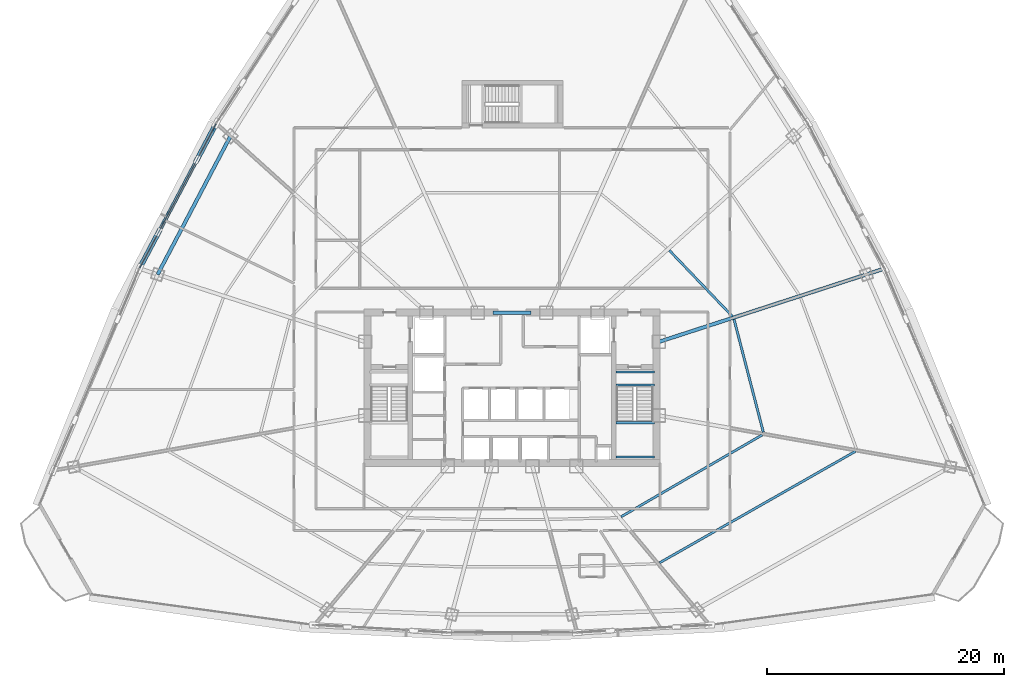
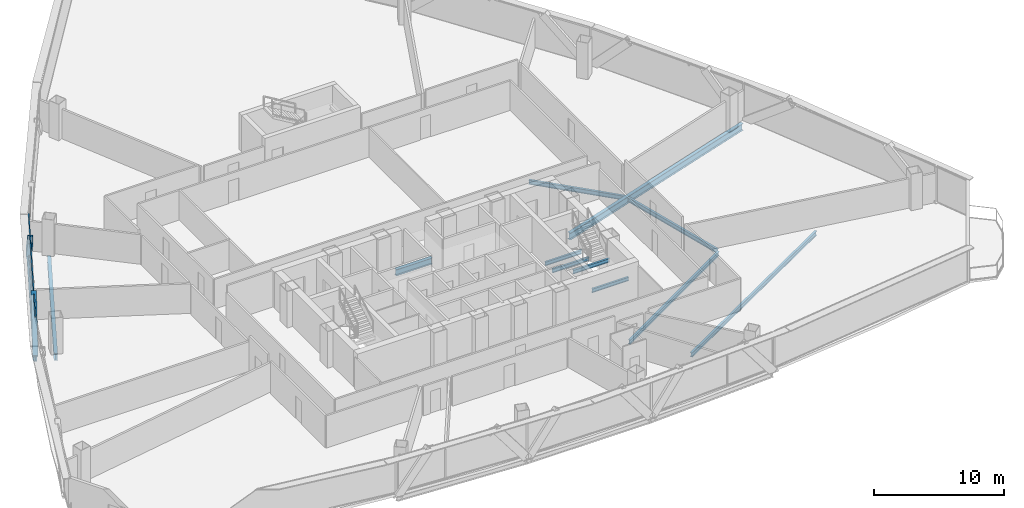
# One storey, part 15 of 39: 12 beams, 4 members, 1 element without a shape of its own.
"""IFC4 building model written with IfcOpenShell, lengths in metres."""

from ifc_helpers import new_model, si_unit, direction, frame, origin, origin_2d, place, context, subcontext, project, spatial, hollow_rectangle, i_section, extrude, source, transform, mapped, material, layer, layer_set, material_profile, profile_set, type_object, element, aggregate, save


model = new_model("IFC4")

# Units and contexts
model_context = context("Model", 3, precision=1e-05, world=origin(), true_north=direction((0.0, 1.0)))
body_context = subcontext(model_context, "Body", "Model", "MODEL_VIEW")
ifc_project = project(units=[si_unit("LENGTHUNIT", "METRE"), si_unit("AREAUNIT", "SQUARE_METRE"), si_unit("VOLUMEUNIT", "CUBIC_METRE"), si_unit("PLANEANGLEUNIT", "RADIAN"), si_unit("MASSUNIT", "GRAM", prefix="KILO"), si_unit("THERMODYNAMICTEMPERATUREUNIT", "KELVIN"), si_unit("POWERUNIT", "WATT")], contexts=[model_context])

# Site, building, storey
site_placement = place(None, origin())
site = spatial("IfcSite", under=ifc_project, at=site_placement, CompositionType="ELEMENT")
building_placement = place(site_placement, origin())
building = spatial("IfcBuilding", under=site, at=building_placement, Name="Yunzhuo Pagoda Commons", CompositionType="ELEMENT")
storey_placement = place(building_placement, frame((0.0, 0.0, 144.550048828125)))
storey = spatial("IfcBuildingStorey", under=building, at=storey_placement, Name="L36", CompositionType="ELEMENT", Elevation=144.550048828125)

# Beams
ifc_material_1 = material(Name="Structural steel Q355B", Category="steel")
ifc_material_profile_1 = material_profile(ifc_material_1, i_section(OverallWidth=0.175048828125, OverallDepth=0.35009765625, WebThickness=0.007080078125, FlangeThickness=0.010986328125, at=origin_2d()), Name="Structural steel Q355B")
ifc_profile_set_1 = profile_set([ifc_material_profile_1], Name="Structural steel Q355B")
beam_type_1 = type_object("IfcBeamType", Name="B-JS2 Joist HN 350x175x7x11", PredefinedType="JOIST", material=ifc_profile_set_1)
shared_shape_1 = source(origin(), body_context, "Body", "SweptSolid", [
    extrude(i_section(OverallWidth=0.175048828125, OverallDepth=0.35009765625, WebThickness=0.007080078125, FlangeThickness=0.010986328125, at=origin_2d()), origin(), (0.0, 0.0, 1.0), 3.25),
])
for number, where, z_axis, x_axis, name in (
    (1, (56.800048828125, 28.0, 1.46484375), (1.0, 0.0, 0.0), (0.0, 1.0, 0.0), "L36 ST2 landing support beam 42A"),
    (2, (56.800048828125, 30.89990234375, 1.46484375), (1.0, 0.0, 0.0), (0.0, 1.0, 0.0), "L36 ST2 landing support beam 42B"),
    (3, (56.800048828125, 34.10009765625, -0.375), (1.0, 0.0, 0.0), (0.0, 1.0, 0.0), "L36 ST2 landing support beam 140A"),
    (4, (56.800048828125, 35.199951171875, -0.375), (1.0, 0.0, 0.0), (0.0, 1.0, 0.0), "L36 ST2 landing support beam 140B"),
):
    element("IfcBeam", number, at=place(storey_placement, frame(where, z_axis=z_axis, x_axis=x_axis)), inside=storey, type_object=beam_type_1, Name=name, PredefinedType="JOIST", context=body_context, shape_type="MappedRepresentation", body=[
        mapped(shared_shape_1, transform((0.0, 0.0, 0.0), scale=1.0)),
    ])
ifc_material_2 = material(Name="Structural steel Q420B", Category="steel")
ifc_material_profile_2 = material_profile(ifc_material_2, i_section(OverallWidth=0.300048828125, OverallDepth=0.587890625, WebThickness=0.011962890625, FlangeThickness=0.02001953125, at=origin_2d()), Name="Structural steel Q420B")
ifc_profile_set_2 = profile_set([ifc_material_profile_2], Name="Structural steel Q420B")
beam_type_2 = type_object("IfcBeamType", Name="B-CPL Beam HM 588x300x12x20", PredefinedType="BEAM", material=ifc_profile_set_2)
shared_shape_2 = source(origin(), body_context, "Body", "SweptSolid", [
    extrude(i_section(OverallWidth=0.300048828125, OverallDepth=0.587890625, WebThickness=0.011962890625, FlangeThickness=0.02001953125, at=origin_2d()), origin(), (0.0, 0.0, 1.0), 3.2001953125),
])
beam_1_placement = place(storey_placement, frame((46.39990234375, 40.199951171875, -0.553955078125), z_axis=(1.0, 0.0, 0.0), x_axis=(0.0, 1.0, 0.0)))
element("IfcBeam", 5, at=beam_1_placement, inside=storey, type_object=beam_type_2, Name="L36 core coupling girder", PredefinedType="BEAM", context=body_context, shape_type="MappedRepresentation", body=[
    mapped(shared_shape_2, transform((0.0, 0.0, 0.0), scale=1.0)),
])
ifc_material_profile_3 = material_profile(ifc_material_1, i_section(OverallWidth=0.199951171875, OverallDepth=0.39990234375, WebThickness=0.008056640625, FlangeThickness=0.012939453125, at=origin_2d()), Name="Structural steel Q355B")
ifc_profile_set_3 = profile_set([ifc_material_profile_3], Name="Structural steel Q355B")
beam_type_3 = type_object("IfcBeamType", Name="B-JS1 Joist HN 400x200x8x13", PredefinedType="JOIST", material=ifc_profile_set_3)
shared_shape_3 = source(origin(), body_context, "Body", "SweptSolid", [
    extrude(i_section(OverallWidth=0.199951171875, OverallDepth=0.39990234375, WebThickness=0.008056640625, FlangeThickness=0.012939453125, at=origin_2d()), origin(), (0.0, 0.0, 1.0), 13.76416015625),
])
beam_2_placement = place(storey_placement, frame((57.2119140625, 22.96533203125, -0.4599609375), z_axis=(0.864967288101, 0.501828248025, 0.0), x_axis=(-0.501828248025, 0.864967288101, 0.0)))
element("IfcBeam", 6, at=beam_2_placement, inside=storey, type_object=beam_type_3, Name="L36 composite ring joist 1.4", PredefinedType="JOIST", context=body_context, shape_type="MappedRepresentation", body=[
    mapped(shared_shape_3, transform((0.0, 0.0, 0.0), scale=1.0)),
])
shared_shape_4 = source(origin(), body_context, "Body", "SweptSolid", [
    extrude(i_section(OverallWidth=0.199951171875, OverallDepth=0.39990234375, WebThickness=0.008056640625, FlangeThickness=0.012939453125, at=origin_2d()), origin(), (0.0, 0.0, 1.0), 19.007568359375),
])
beam_3_placement = place(storey_placement, frame((60.468017578125, 19.08447265625, -0.4599609375), z_axis=(0.869119947472, 0.494601371718, 0.0), x_axis=(-0.494601371718, 0.869119947472, 0.0)))
element("IfcBeam", 7, at=beam_3_placement, inside=storey, type_object=beam_type_3, Name="L36 composite ring joist 2.4", PredefinedType="JOIST", context=body_context, shape_type="MappedRepresentation", body=[
    mapped(shared_shape_4, transform((0.0, 0.0, 0.0), scale=1.0)),
])
shared_shape_5 = source(origin(), body_context, "Body", "SweptSolid", [
    extrude(i_section(OverallWidth=0.199951171875, OverallDepth=0.39990234375, WebThickness=0.008056640625, FlangeThickness=0.012939453125, at=origin_2d()), origin(), (0.0, 0.0, 1.0), 9.8330078125),
])
beam_4_placement = place(storey_placement, frame((69.215087890625, 30.10595703125, -0.4599609375), z_axis=(-0.251166367041, 0.967943932295, 0.0), x_axis=(-0.967943932295, -0.251166367041, 0.0)))
element("IfcBeam", 8, at=beam_4_placement, inside=storey, type_object=beam_type_3, Name="L36 composite ring joist 1.5", PredefinedType="JOIST", context=body_context, shape_type="MappedRepresentation", body=[
    mapped(shared_shape_5, transform((0.0, 0.0, 0.0), scale=1.0)),
])
ifc_material_profile_4 = material_profile(ifc_material_1, i_section(OverallWidth=0.300048828125, OverallDepth=0.64990234375, WebThickness=0.012939453125, FlangeThickness=0.02197265625, at=origin_2d()), Name="Structural steel Q355B")
ifc_profile_set_4 = profile_set([ifc_material_profile_4], Name="Structural steel Q355B")
beam_type_4 = type_object("IfcBeamType", Name="B-RG2 Beam HN 650x300x13x22", PredefinedType="BEAM", material=ifc_profile_set_4)
shared_shape_6 = source(origin(), body_context, "Body", "SweptSolid", [
    extrude(i_section(OverallWidth=0.300048828125, OverallDepth=0.64990234375, WebThickness=0.012939453125, FlangeThickness=0.02197265625, at=origin_2d()), origin(), (0.0, 0.0, 1.0), 13.198974609375),
])
beam_5_placement = place(storey_placement, frame((24.23388671875, 55.09912109375, -0.5849609375), z_axis=(-0.465885937554, -0.884844784801, 0.0), x_axis=(0.884844784801, -0.465885937554, 0.0)))
element("IfcBeam", 9, at=beam_5_placement, inside=storey, type_object=beam_type_4, Name="L36 column-ring beam 10", PredefinedType="BEAM", context=body_context, shape_type="MappedRepresentation", body=[
    mapped(shared_shape_6, transform((0.0, 0.0, 0.0), scale=1.0)),
])
shared_shape_7 = source(origin(), body_context, "Body", "SweptSolid", [
    extrude(i_section(OverallWidth=0.199951171875, OverallDepth=0.39990234375, WebThickness=0.008056640625, FlangeThickness=0.012939453125, at=origin_2d()), origin(), (0.0, 0.0, 1.0), 7.685546875),
])
beam_6_placement = place(storey_placement, frame((66.595703125, 39.892578125, -0.4599609375), z_axis=(-0.690882862648, 0.722966714378, 0.0), x_axis=(-0.722966714378, -0.690882862648, 0.0)))
element("IfcBeam", 10, at=beam_6_placement, inside=storey, type_object=beam_type_3, Name="L36 composite ring joist 1.6", PredefinedType="JOIST", context=body_context, shape_type="MappedRepresentation", body=[
    mapped(shared_shape_7, transform((0.0, 0.0, 0.0), scale=1.0)),
])
shared_shape_8 = source(origin(), body_context, "Body", "SweptSolid", [
    extrude(i_section(OverallWidth=0.300048828125, OverallDepth=0.64990234375, WebThickness=0.012939453125, FlangeThickness=0.02197265625, at=origin_2d()), origin(), (0.0, 0.0, 1.0), 19.877197265625),
])
beam_7_placement = place(storey_placement, frame((79.30419921875, 43.871337890625, -0.5849609375), z_axis=(-0.951057172971, -0.309014973328, 0.0), x_axis=(0.309014973328, -0.951057172971, 0.0)))
element("IfcBeam", 11, at=beam_7_placement, inside=storey, type_object=beam_type_4, Name="L36 radial floor girder F2C2", PredefinedType="BEAM", context=body_context, shape_type="MappedRepresentation", body=[
    mapped(shared_shape_8, transform((0.0, 0.0, 0.0), scale=1.0)),
])
ifc_material_profile_5 = material_profile(ifc_material_1, i_section(OverallWidth=0.300048828125, OverallDepth=0.488037109375, WebThickness=0.010986328125, FlangeThickness=0.01806640625, at=origin_2d()), Name="Structural steel Q355B")
ifc_profile_set_5 = profile_set([ifc_material_profile_5], Name="Structural steel Q355B")
beam_type_5 = type_object("IfcBeamType", Name="B-SP1 Beam HM 488x300x11x18", PredefinedType="BEAM", material=ifc_profile_set_5)
shared_shape_9 = source(origin(), body_context, "Body", "SweptSolid", [
    extrude(i_section(OverallWidth=0.300048828125, OverallDepth=0.488037109375, WebThickness=0.010986328125, FlangeThickness=0.01806640625, at=origin_2d()), origin(), (0.0, 0.0, 1.0), 13.869384765625),
])
beam_8_placement = place(storey_placement, frame((23.035400390625, 56.17822265625, -0.504150390625), z_axis=(-0.467725147868, -0.883873965027, 0.0), x_axis=(0.883873965027, -0.467725147868, 0.0)))
element("IfcBeam", 12, at=beam_8_placement, inside=storey, type_object=beam_type_5, Name="L36 facade edge spandrel beam F3.2", PredefinedType="BEAM", context=body_context, shape_type="MappedRepresentation", body=[
    mapped(shared_shape_9, transform((0.0, 0.0, 0.0), scale=1.0)),
])

# Members
ifc_material_profile_6 = material_profile(ifc_material_2, hollow_rectangle(XDim=0.419921875, YDim=0.719970703125, WallThickness=0.028076171875, at=origin_2d()), Name="Structural steel Q420B")
ifc_profile_set_6 = profile_set([ifc_material_profile_6], Name="Structural steel Q420B")
member_type_1 = type_object("IfcMemberType", Name="M-DL1 Brace BOX 720x420x28", PredefinedType="BRACE", material=ifc_profile_set_6)
shared_shape_10 = source(origin(), body_context, "Body", "SweptSolid", [
    extrude(hollow_rectangle(XDim=0.419921875, YDim=0.719970703125, WallThickness=0.028076171875, at=origin_2d()), origin(), (0.0, 0.0, 1.0), 5.055908203125),
])
member_1_placement = place(storey_placement, frame((16.54833984375, 43.91943359375, -0.260009765625), z_axis=(0.320729550462, 0.606112212798, 0.727846509202), x_axis=(-0.883880393409, 0.467712999763, 0.0)))
element("IfcMember", 13, at=member_1_placement, inside=storey, type_object=member_type_1, Name="L36 facade diamond brace F3.2R", PredefinedType="BRACE", context=body_context, shape_type="MappedRepresentation", body=[
    mapped(shared_shape_10, transform((0.0, 0.0, 0.0), scale=1.0)),
])
shared_shape_11 = source(origin(), body_context, "Body", "SweptSolid", [
    extrude(hollow_rectangle(XDim=0.419921875, YDim=0.719970703125, WallThickness=0.028076171875, at=origin_2d()), origin(), (0.0, 0.0, 1.0), 5.05615234375),
])
member_2_placement = place(storey_placement, frame((23.035400390625, 56.17822265625, -0.260009765625), z_axis=(-0.320763482228, -0.606133372333, 0.727813934611), x_axis=(0.883866687787, -0.467738899623, 0.0)))
element("IfcMember", 14, at=member_2_placement, inside=storey, type_object=member_type_1, Name="L36 facade diamond brace F3.2L", PredefinedType="BRACE", context=body_context, shape_type="MappedRepresentation", body=[
    mapped(shared_shape_11, transform((0.0, 0.0, 0.0), scale=1.0)),
])

# Curtain wall, members
ifc_material_3 = material(Name="Anodized aluminium 6063-T6", Category="aluminium")
ifc_layer = layer(ifc_material_3, 0.14990234375)
ifc_layer_set = layer_set([ifc_layer], Name="Anodized aluminium 6063-T6")
curtain_wall_type = type_object("IfcCurtainWallType", Name="CW-MID Mid-Zone Ribbon Curtain Wall", PredefinedType="NOTDEFINED", material=ifc_layer_set)
curtain_wall_placement = place(storey_placement, origin())
curtain_wall = element("IfcCurtainWall", 15, at=curtain_wall_placement, inside=storey, type_object=curtain_wall_type, Name="L36 curtain wall CW-L36-F3B3", PredefinedType="NOTDEFINED")
ifc_material_profile_7 = material_profile(ifc_material_3, hollow_rectangle(XDim=0.054931640625, YDim=0.1298828125, WallThickness=0.00341796875, at=origin_2d()), Name="Anodized aluminium 6063-T6")
ifc_profile_set_7 = profile_set([ifc_material_profile_7], Name="Anodized aluminium 6063-T6")
member_type_2 = type_object("IfcMemberType", Name="CW-MID-T Transom RHS 130x55x3.5", PredefinedType="USERDEFINED", material=ifc_profile_set_7)
shared_shape_12 = source(origin(), body_context, "Body", "SweptSolid", [
    extrude(hollow_rectangle(XDim=0.054931640625, YDim=0.1298828125, WallThickness=0.00341796875, at=origin_2d()), origin(), (0.0, 0.0, 1.0), 13.74951171875),
])
member_3_placement = place(storey_placement, frame((23.00732421875, 56.125244140625, 0.02734375), z_axis=(-0.467720466259, -0.883876442407, 0.0), x_axis=(0.883876442407, -0.467720466259, 0.0)))
member_3 = element("IfcMember", 16, at=member_3_placement, type_object=member_type_2, Name="CW transom 1.1", ObjectType="TRANSOM", PredefinedType="USERDEFINED", context=body_context, shape_type="MappedRepresentation", body=[
    mapped(shared_shape_12, transform((0.0, 0.0, 0.0), scale=1.0)),
])
member_4_placement = place(storey_placement, frame((23.00732421875, 56.125244140625, 3.392333984375), z_axis=(-0.467720466259, -0.883876442407, 0.0), x_axis=(0.883876442407, -0.467720466259, 0.0)))
member_4 = element("IfcMember", 17, at=member_4_placement, type_object=member_type_2, Name="CW transom 1.2", ObjectType="TRANSOM", PredefinedType="USERDEFINED", context=body_context, shape_type="MappedRepresentation", body=[
    mapped(shared_shape_12, transform((0.0, 0.0, 0.0), scale=1.0)),
])
aggregate(curtain_wall, [member_3, member_4])

save(model, "model.ifc")
